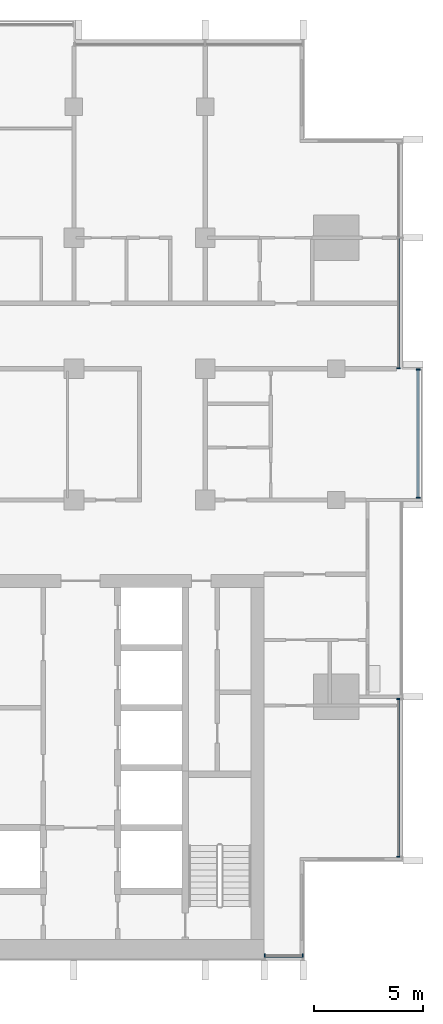
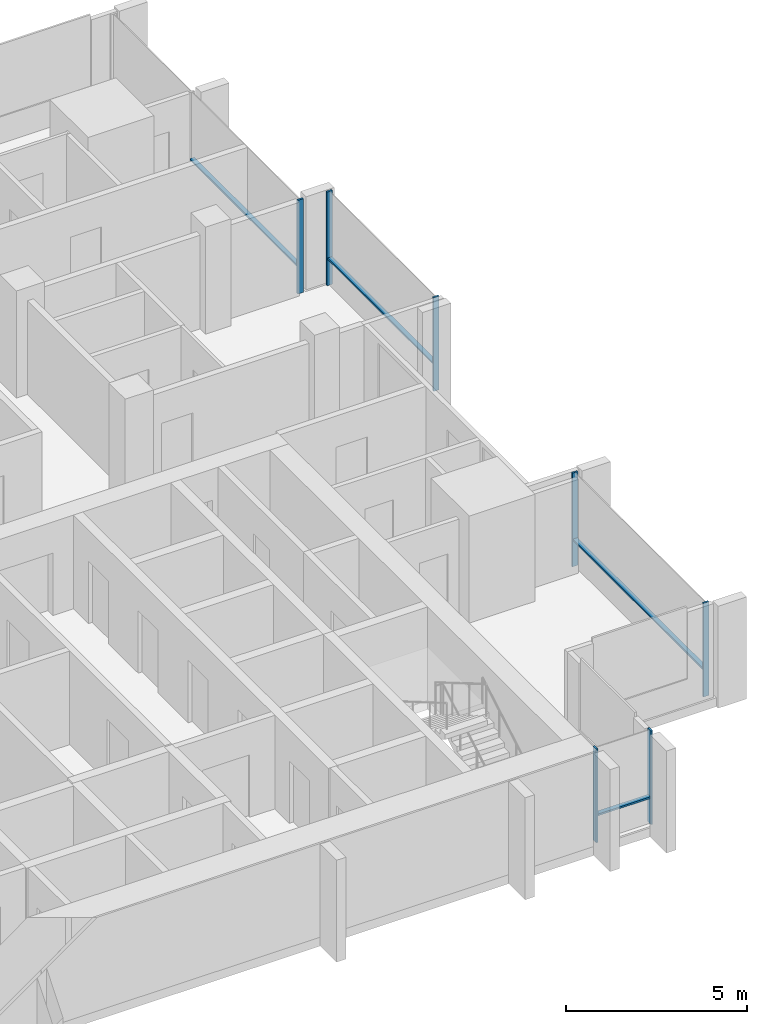
# One storey, part 3 of 16: 11 members, 4 elements without a shape of their own.
"""IFC4 building model written with IfcOpenShell, lengths in metres."""

from ifc_helpers import new_model, si_unit, direction, frame, origin, origin_2d, place, context, subcontext, project, spatial, rectangle, extrude, material, material_profile, profile_set, type_object, element, aggregate, save


model = new_model("IFC4")

# Units and contexts
model_context = context("Model", 3, precision=1e-05, world=origin(), true_north=direction((0.0, 1.0)))
body_context = subcontext(model_context, "Body", "Model", "MODEL_VIEW")
ifc_project = project(units=[si_unit("LENGTHUNIT", "METRE"), si_unit("AREAUNIT", "SQUARE_METRE"), si_unit("VOLUMEUNIT", "CUBIC_METRE"), si_unit("PLANEANGLEUNIT", "RADIAN"), si_unit("MASSUNIT", "GRAM", prefix="KILO")], contexts=[model_context])

# Site, building, storey
site_placement = place(None, origin())
site = spatial("IfcSite", under=ifc_project, at=site_placement, CompositionType="ELEMENT")
building_placement = place(site_placement, origin())
building = spatial("IfcBuilding", under=site, at=building_placement, Name="Finial Court Residences", CompositionType="ELEMENT")
storey_placement = place(building_placement, frame((0.0, 0.0, 244.699951171875)))
storey = spatial("IfcBuildingStorey", under=building, at=storey_placement, Name="L62", CompositionType="ELEMENT", Elevation=244.699951171875)

# Curtain wall, members
ifc_material = material(Name="Bronze anodised aluminium", Category="aluminium")
curtain_wall_type = type_object("IfcCurtainWallType", Name="Unitised curtain wall, upper zones", PredefinedType="NOTDEFINED", material=ifc_material)
curtain_wall_1_placement = place(storey_placement, origin())
curtain_wall_1 = element("IfcCurtainWall", 1, at=curtain_wall_1_placement, inside=storey, type_object=curtain_wall_type, Name="E-L62-CW-E4", PredefinedType="NOTDEFINED")
ifc_material_profile_1 = material_profile(ifc_material, rectangle(XDim=0.175048828125, YDim=0.06005859375, at=origin_2d()), Name="CW2 mullion 60 x 175")
ifc_profile_set_1 = profile_set([ifc_material_profile_1], Name="Bronze anodised aluminium")
member_type_1 = type_object("IfcMemberType", Name="CW2 mullion 60 x 175", PredefinedType="MULLION", material=ifc_profile_set_1)
member_1_placement = place(storey_placement, frame((19.35009765625, -20.820068359375, 0.0), z_axis=(0.0, 0.0, 1.0), x_axis=(-1.0, 0.0, 0.0)))
member_1 = element("IfcMember", 2, at=member_1_placement, type_object=member_type_1, Name="CW2 mullion 1", PredefinedType="MULLION", context=body_context, shape_type="SweptSolid", body=[
    extrude(rectangle(XDim=0.175048828125, YDim=0.06005859375, at=origin_2d()), origin(), (0.0, 0.0, 1.0), 3.150146484375),
])
member_2_placement = place(storey_placement, frame((19.35009765625, -13.60498046875, 0.0), z_axis=(0.0, 0.0, 1.0), x_axis=(-1.0, 0.0, 0.0)))
member_2 = element("IfcMember", 3, at=member_2_placement, type_object=member_type_1, Name="CW2 mullion 2", PredefinedType="MULLION", context=body_context, shape_type="SweptSolid", body=[
    extrude(rectangle(XDim=0.175048828125, YDim=0.06005859375, at=origin_2d()), origin(), (0.0, 0.0, 1.0), 3.150146484375),
])

curtain_wall_2_placement = place(storey_placement, origin())
curtain_wall_2 = element("IfcCurtainWall", 4, at=curtain_wall_2_placement, inside=storey, type_object=curtain_wall_type, Name="E-L62-CW-E5", PredefinedType="NOTDEFINED")
member_3_placement = place(storey_placement, frame((20.25, -4.39501953125, 0.0), z_axis=(0.0, 0.0, 1.0), x_axis=(-1.0, 0.0, 0.0)))
member_3 = element("IfcMember", 5, at=member_3_placement, type_object=member_type_1, Name="CW2 mullion 1", PredefinedType="MULLION", context=body_context, shape_type="SweptSolid", body=[
    extrude(rectangle(XDim=0.175048828125, YDim=0.06005859375, at=origin_2d()), origin(), (0.0, 0.0, 1.0), 3.150146484375),
])
member_4_placement = place(storey_placement, frame((20.25, 1.469970703125, 0.0), z_axis=(0.0, 0.0, 1.0), x_axis=(-1.0, 0.0, 0.0)))
member_4 = element("IfcMember", 6, at=member_4_placement, type_object=member_type_1, Name="CW2 mullion 2", PredefinedType="MULLION", context=body_context, shape_type="SweptSolid", body=[
    extrude(rectangle(XDim=0.175048828125, YDim=0.06005859375, at=origin_2d()), origin(), (0.0, 0.0, 1.0), 3.150146484375),
])

# Curtain wall, member
curtain_wall_3_placement = place(storey_placement, origin())
curtain_wall_3 = element("IfcCurtainWall", 7, at=curtain_wall_3_placement, inside=storey, type_object=curtain_wall_type, Name="E-L62-CW-E6", PredefinedType="NOTDEFINED")
member_5_placement = place(storey_placement, frame((19.35009765625, 1.530029296875, 0.0), z_axis=(0.0, 0.0, 1.0), x_axis=(-1.0, 0.0, 0.0)))
member_5 = element("IfcMember", 8, at=member_5_placement, type_object=member_type_1, Name="CW2 mullion 1", PredefinedType="MULLION", context=body_context, shape_type="SweptSolid", body=[
    extrude(rectangle(XDim=0.175048828125, YDim=0.06005859375, at=origin_2d()), origin(), (0.0, 0.0, 1.0), 3.150146484375),
])

# Curtain wall, members
curtain_wall_4_placement = place(storey_placement, origin())
curtain_wall_4 = element("IfcCurtainWall", 9, at=curtain_wall_4_placement, inside=storey, type_object=curtain_wall_type, Name="E-L62-CW-S8", PredefinedType="NOTDEFINED")
member_6_placement = place(storey_placement, frame((13.22998046875, -25.35009765625, 0.0), z_axis=(0.0, 0.0, 1.0), x_axis=(0.0, 1.0, 0.0)))
member_6 = element("IfcMember", 10, at=member_6_placement, type_object=member_type_1, Name="CW2 mullion 1", PredefinedType="MULLION", context=body_context, shape_type="SweptSolid", body=[
    extrude(rectangle(XDim=0.175048828125, YDim=0.06005859375, at=origin_2d()), origin(), (0.0, 0.0, 1.0), 3.150146484375),
])
member_7_placement = place(storey_placement, frame((14.969970703125, -25.35009765625, 0.0), z_axis=(0.0, 0.0, 1.0), x_axis=(0.0, 1.0, 0.0)))
member_7 = element("IfcMember", 11, at=member_7_placement, type_object=member_type_1, Name="CW2 mullion 2", PredefinedType="MULLION", context=body_context, shape_type="SweptSolid", body=[
    extrude(rectangle(XDim=0.175048828125, YDim=0.06005859375, at=origin_2d()), origin(), (0.0, 0.0, 1.0), 3.150146484375),
])

# Member
ifc_material_profile_2 = material_profile(ifc_material, rectangle(XDim=0.139892578125, YDim=0.06005859375, at=origin_2d()), Name="CW2 transom 60 x 140")
ifc_profile_set_2 = profile_set([ifc_material_profile_2], Name="Bronze anodised aluminium")
member_type_2 = type_object("IfcMemberType", Name="CW2 transom 60 x 140", PredefinedType="USERDEFINED", material=ifc_profile_set_2)
member_8_placement = place(storey_placement, frame((19.35009765625, -20.7900390625, 0.900146484375), z_axis=(0.0, 1.0, 0.0), x_axis=(-1.0, 0.0, 0.0)))
member_8 = element("IfcMember", 12, at=member_8_placement, type_object=member_type_2, Name="CW2 transom 1.1", ObjectType="TRANSOM", PredefinedType="USERDEFINED", context=body_context, shape_type="SweptSolid", body=[
    extrude(rectangle(XDim=0.139892578125, YDim=0.06005859375, at=origin_2d()), origin(), (0.0, 0.0, 1.0), 7.155029296875),
])

aggregate(curtain_wall_1, [member_1, member_2, member_8])

member_9_placement = place(storey_placement, frame((20.25, -4.364990234375, 0.900146484375), z_axis=(0.0, 1.0, 0.0), x_axis=(-1.0, 0.0, 0.0)))
member_9 = element("IfcMember", 13, at=member_9_placement, type_object=member_type_2, Name="CW2 transom 1.1", ObjectType="TRANSOM", PredefinedType="USERDEFINED", context=body_context, shape_type="SweptSolid", body=[
    extrude(rectangle(XDim=0.139892578125, YDim=0.06005859375, at=origin_2d()), origin(), (0.0, 0.0, 1.0), 5.804931640625),
])

aggregate(curtain_wall_2, [member_3, member_4, member_9])

member_10_placement = place(storey_placement, frame((19.35009765625, 1.56005859375, 0.900146484375), z_axis=(0.0, 1.0, 0.0), x_axis=(-1.0, 0.0, 0.0)))
member_10 = element("IfcMember", 14, at=member_10_placement, type_object=member_type_2, Name="CW2 transom 1.1", ObjectType="TRANSOM", PredefinedType="USERDEFINED", context=body_context, shape_type="SweptSolid", body=[
    extrude(rectangle(XDim=0.139892578125, YDim=0.06005859375, at=origin_2d()), origin(), (0.0, 0.0, 1.0), 5.909912109375),
])

aggregate(curtain_wall_3, [member_5, member_10])

member_11_placement = place(storey_placement, frame((13.260009765625, -25.35009765625, 0.900146484375), z_axis=(1.0, 0.0, 0.0), x_axis=(0.0, 1.0, 0.0)))
member_11 = element("IfcMember", 15, at=member_11_placement, type_object=member_type_2, Name="CW2 transom 1.1", ObjectType="TRANSOM", PredefinedType="USERDEFINED", context=body_context, shape_type="SweptSolid", body=[
    extrude(rectangle(XDim=0.139892578125, YDim=0.06005859375, at=origin_2d()), origin(), (0.0, 0.0, 1.0), 1.679931640625),
])

aggregate(curtain_wall_4, [member_6, member_7, member_11])

save(model, "model.ifc")
